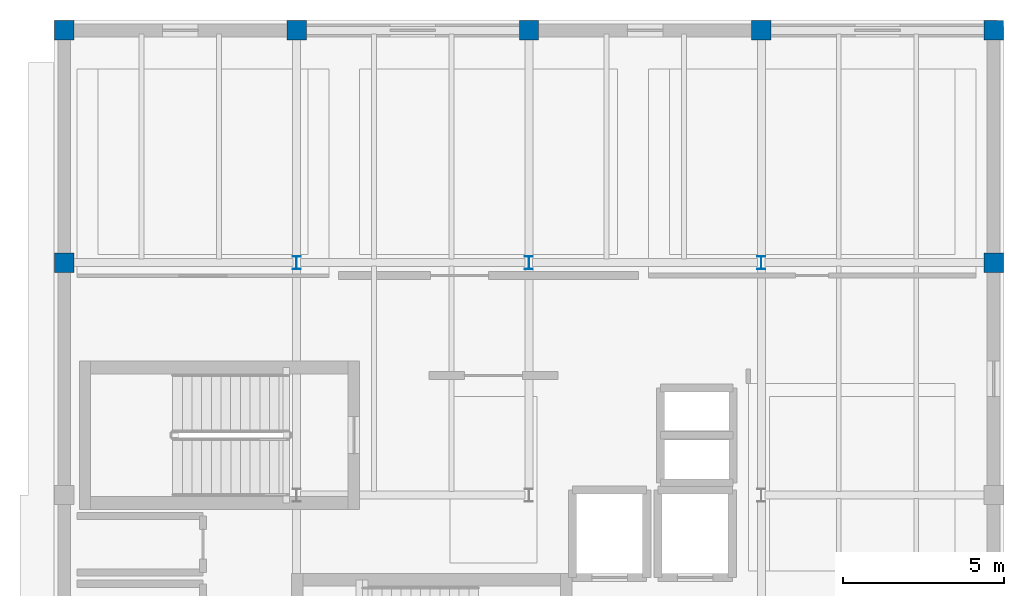
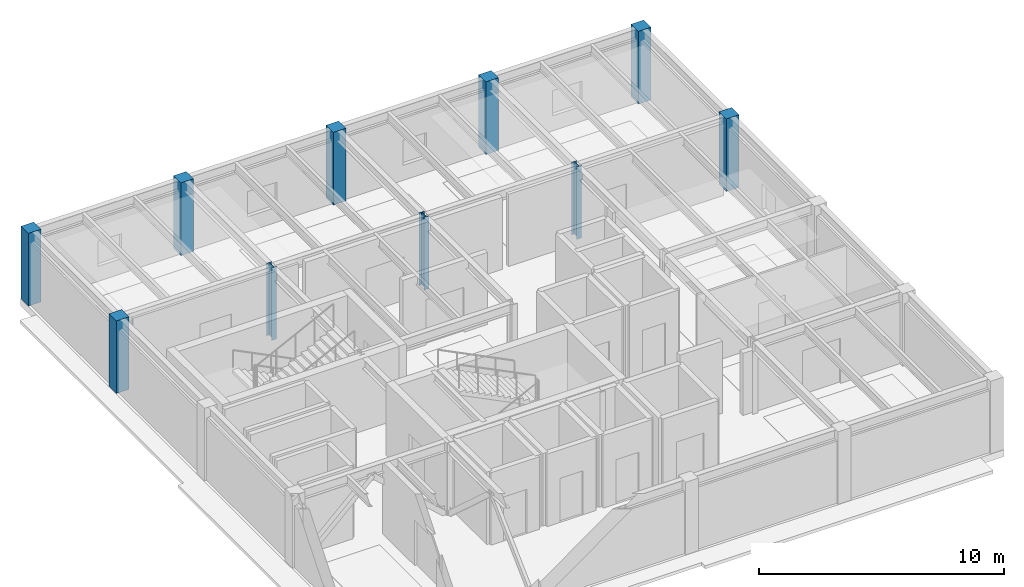
# One storey, part 2 of 8: 10 columns.
"""IFC4 building model written with IfcOpenShell, lengths in metres."""

from ifc_helpers import new_model, si_unit, direction, frame, origin, origin_2d, place, context, subcontext, project, spatial, rectangle, i_section, extrude, material, material_profile, profile_set, type_object, element, save


model = new_model("IFC4")

# Units and contexts
model_context = context("Model", 3, precision=1e-05, world=origin(), true_north=direction((0.0, 1.0)))
body_context = subcontext(model_context, "Body", "Model", "MODEL_VIEW")
ifc_project = project(units=[si_unit("LENGTHUNIT", "METRE"), si_unit("AREAUNIT", "SQUARE_METRE"), si_unit("VOLUMEUNIT", "CUBIC_METRE"), si_unit("PLANEANGLEUNIT", "RADIAN"), si_unit("MASSUNIT", "GRAM", prefix="KILO")], contexts=[model_context])

# Site, building, storey
site_placement = place(None, origin())
site = spatial("IfcSite", under=ifc_project, at=site_placement, CompositionType="ELEMENT")
building_placement = place(site_placement, origin())
building = spatial("IfcBuilding", under=site, at=building_placement, Name="Kandorven Conservatory and Botanical Research Centre", CompositionType="ELEMENT")
storey_placement = place(building_placement, frame((0.0, 0.0, 36.60009765625)))
storey = spatial("IfcBuildingStorey", under=building, at=storey_placement, Name="L09", CompositionType="ELEMENT", Elevation=36.60009765625)

# Columns
ifc_material_1 = material(Name="Steel S355 (IS 2062 E350)", Category="steel")
ifc_material_profile_1 = material_profile(ifc_material_1, i_section(OverallWidth=0.25, OverallDepth=0.39990234375, WebThickness=0.010498046875, FlangeThickness=0.0126953125, at=origin_2d()))
ifc_profile_set_1 = profile_set([ifc_material_profile_1], Name="Steel S355 (IS 2062 E350)")
column_type_1 = type_object("IfcColumnType", Name="Col_SC-02", PredefinedType="COLUMN", material=ifc_profile_set_1)
for number, where, z_axis, x_axis, name in (
    (1, (13.199951171875, 27.60009765625, 0.0), (0.0, 0.0, 1.0), (1.0, 0.0, 0.0), "Column SC-02 TWR L09 (2,4)"),
    (2, (20.39990234375, 27.60009765625, 0.0), (0.0, 0.0, 1.0), (1.0, 0.0, 0.0), "Column SC-02 TWR L09 (3,4)"),
    (3, (27.60009765625, 27.60009765625, 0.0), (0.0, 0.0, 1.0), (1.0, 0.0, 0.0), "Column SC-02 TWR L09 (4,4)"),
):
    element("IfcColumn", number, at=place(storey_placement, frame(where, z_axis=z_axis, x_axis=x_axis)), inside=storey, type_object=column_type_1, Name=name, PredefinedType="COLUMN", context=body_context, shape_type="SweptSolid", body=[
        extrude(i_section(OverallWidth=0.25, OverallDepth=0.39990234375, WebThickness=0.010498046875, FlangeThickness=0.0126953125, at=origin_2d()), origin(), (0.0, 0.0, 1.0), 3.619873046875),
    ])
ifc_material_2 = material(Name="Concrete C40/50 (M50)", Category="concrete")
ifc_material_profile_2 = material_profile(ifc_material_2, rectangle(XDim=0.60009765625, YDim=0.60009765625, at=origin_2d()))
ifc_profile_set_2 = profile_set([ifc_material_profile_2], Name="Concrete C40/50 (M50)")
column_type_2 = type_object("IfcColumnType", Name="Col_TC-04", PredefinedType="COLUMN", material=ifc_profile_set_2)
for number, where, z_axis, x_axis, name in (
    (4, (6.0, 27.60009765625, 0.0), (0.0, 0.0, 1.0), (1.0, 0.0, 0.0), "Column TC-04 TWR L09 (1,4)"),
    (5, (6.0, 34.800048828125, 0.0), (0.0, 0.0, 1.0), (1.0, 0.0, 0.0), "Column TC-04 TWR L09 (1,5)"),
    (6, (13.199951171875, 34.800048828125, 0.0), (0.0, 0.0, 1.0), (1.0, 0.0, 0.0), "Column TC-04 TWR L09 (2,5)"),
    (7, (20.39990234375, 34.800048828125, 0.0), (0.0, 0.0, 1.0), (1.0, 0.0, 0.0), "Column TC-04 TWR L09 (3,5)"),
    (8, (27.60009765625, 34.800048828125, 0.0), (0.0, 0.0, 1.0), (1.0, 0.0, 0.0), "Column TC-04 TWR L09 (4,5)"),
    (9, (34.800048828125, 27.60009765625, 0.0), (0.0, 0.0, 1.0), (1.0, 0.0, 0.0), "Column TC-04 TWR L09 (5,4)"),
    (10, (34.800048828125, 34.800048828125, 0.0), (0.0, 0.0, 1.0), (1.0, 0.0, 0.0), "Column TC-04 TWR L09 (5,5)"),
):
    element("IfcColumn", number, at=place(storey_placement, frame(where, z_axis=z_axis, x_axis=x_axis)), inside=storey, type_object=column_type_2, Name=name, PredefinedType="COLUMN", context=body_context, shape_type="SweptSolid", body=[
        extrude(rectangle(XDim=0.60009765625, YDim=0.60009765625, at=origin_2d()), origin(), (0.0, 0.0, 1.0), 3.619873046875),
    ])

save(model, "model.ifc")
